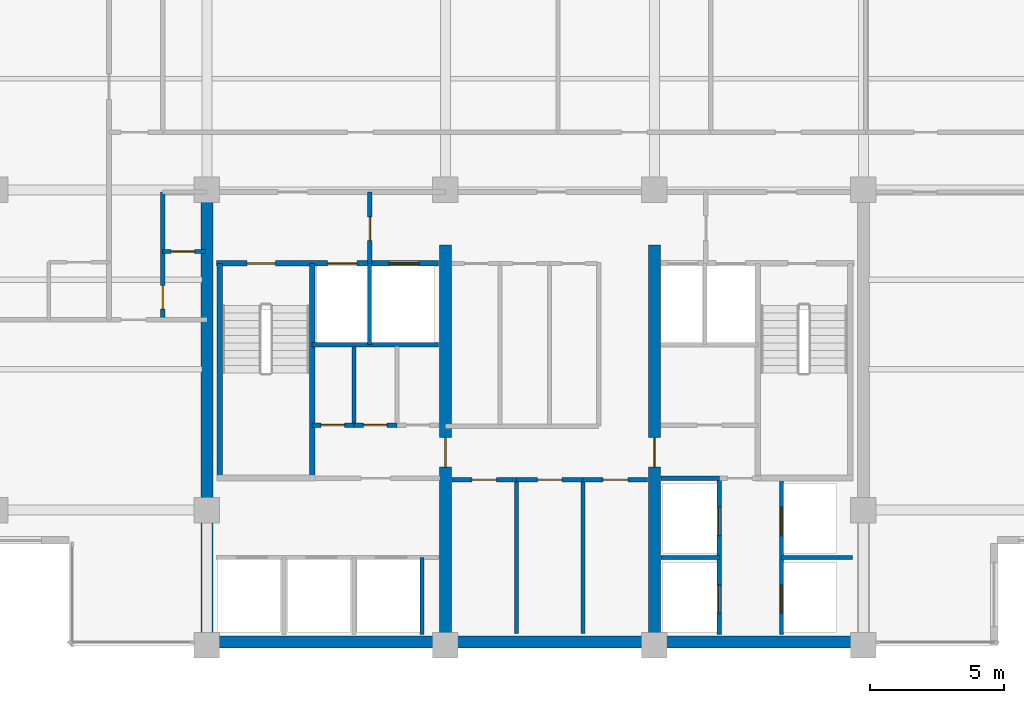
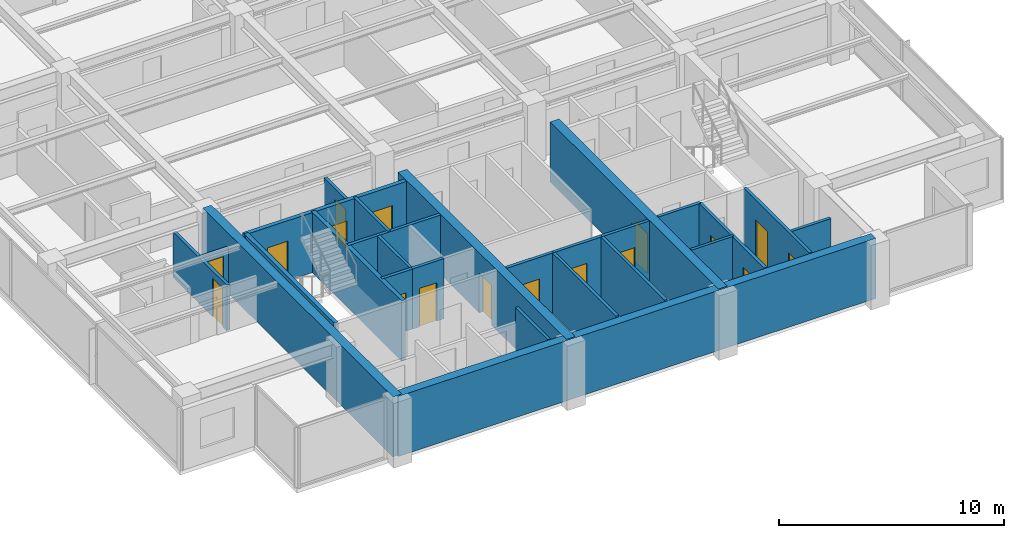
# One storey, part 7 of 14: 26 walls, 17 doors, 17 openings.
"""IFC4 building model written with IfcOpenShell, lengths in metres."""

import ifcopenshell
import ifcopenshell.guid

model = None  # the IFC model being written
_history = None  # IfcOwnerHistory: only IFC2X3 demands one
_inside = {}  # id of a spatial element -> (the spatial element, [elements in it])
_under = {}  # id of a project, library or spatial element -> (it, [spatial elements below it])
_declared = {}  # id of a project -> (the project, [libraries it declares])
_typed = {}  # id of a type object -> (the type object, [elements of that type])
_made_of = {}  # id of a material, layer set ... -> (it, [elements and type objects made of it])


def new_model(schema):
    """Start an empty IFC model of exactly this schema.

    Asked for "IFC4X3", IfcOpenShell would pick the latest addendum, in which some entities
    have other attributes; the version numbers below select the first issue.
    IFC2X3 requires an IfcOwnerHistory on every rooted entity: one is made here for all.
    """
    global model, _history
    if schema == "IFC4X3":
        model = ifcopenshell.file(schema_version=(4, 3, 0, 0))
    else:
        model = ifcopenshell.file(schema=schema)
    _inside.clear()
    _under.clear()
    _declared.clear()
    _typed.clear()
    _made_of.clear()
    _history = None
    if model.schema == "IFC2X3":
        org = make("IfcOrganization", Name="unknown")
        user = make(
            "IfcPersonAndOrganization",
            ThePerson=make("IfcPerson", FamilyName="unknown"),
            TheOrganization=org,
        )
        app = make(
            "IfcApplication",
            ApplicationDeveloper=org,
            Version="unknown",
            ApplicationFullName="unknown",
            ApplicationIdentifier="unknown",
        )
        _history = make(
            "IfcOwnerHistory",
            OwningUser=user,
            OwningApplication=app,
            ChangeAction="ADDED",
            CreationDate=0,
        )
    return model


def make(cls, **values):
    """One entity of the class cls with the attributes given. An attribute that is None is left unset."""
    return model.create_entity(
        cls, **{name: value for name, value in values.items() if value is not None}
    )


def rooted(cls, **values):
    """An entity with a GlobalId (a new one), such as an element, a storey or a relation."""
    return make(cls, GlobalId=ifcopenshell.guid.new(), OwnerHistory=_history, **values)


def si_unit(unit_type, name, prefix=None):
    """IfcSIUnit, for example si_unit("LENGTHUNIT", "METRE", prefix="MILLI")."""
    return make("IfcSIUnit", UnitType=unit_type, Prefix=prefix, Name=name)


def assignment(units):
    """IfcUnitAssignment: the units of a project."""
    return None if units is None else make("IfcUnitAssignment", Units=units)


def point(xyz):
    """IfcCartesianPoint."""
    return None if xyz is None else make("IfcCartesianPoint", Coordinates=xyz)


def direction(xyz):
    """IfcDirection."""
    return None if xyz is None else make("IfcDirection", DirectionRatios=xyz)


def frame(location, z_axis=None, x_axis=None):
    """IfcAxis2Placement3D, a coordinate frame: its origin and axes. An axis left out is left unset."""
    return make(
        "IfcAxis2Placement3D",
        Location=point(location),
        Axis=direction(z_axis),
        RefDirection=direction(x_axis),
    )


def frame_2d(location, x_axis=None):
    """IfcAxis2Placement2D, a coordinate frame in the plane: its origin and x axis."""
    return make(
        "IfcAxis2Placement2D", Location=point(location), RefDirection=direction(x_axis)
    )


def origin():
    """The frame at (0, 0, 0) with its axes left unset."""
    return frame((0.0, 0.0, 0.0))


def place(relative_to, where):
    """IfcLocalPlacement: puts the frame where relative to a parent placement (None: the world)."""
    return make(
        "IfcLocalPlacement", PlacementRelTo=relative_to, RelativePlacement=where
    )


def context(
    kind, dimensions, precision=None, world=None, true_north=None, identifier=None
):
    """IfcGeometricRepresentationContext, for example the 3D "Model" context."""
    return make(
        "IfcGeometricRepresentationContext",
        ContextIdentifier=identifier,
        ContextType=kind,
        CoordinateSpaceDimension=dimensions,
        Precision=precision,
        WorldCoordinateSystem=world,
        TrueNorth=true_north,
    )


def subcontext(parent, identifier, kind, view, scale=None):
    """IfcGeometricRepresentationSubContext, for example "Body" below "Model"."""
    return make(
        "IfcGeometricRepresentationSubContext",
        ContextIdentifier=identifier,
        ContextType=kind,
        ParentContext=parent,
        TargetScale=scale,
        TargetView=view,
    )


def project(units=None, contexts=None):
    """IfcProject with its units and contexts."""
    return rooted(
        "IfcProject",
        Name="project",
        RepresentationContexts=contexts,
        UnitsInContext=assignment(units),
    )


def spatial(cls, under=None, at=None, **own):
    """A site, building, storey or space (cls), placed at a placement, below another one or the project."""
    s = rooted(cls, ObjectPlacement=at, **own)
    if under is not None:
        _under.setdefault(under.id(), (under, []))[1].append(s)
    return s


def profile(cls, at=None, kind="AREA", **sizes):
    """A parametric profile (cls). Its sizes go by their IFC names, for example OverallWidth=200.0."""
    return make(cls, ProfileType=kind, Position=at, **sizes)


def rectangle(**sizes):
    """IfcRectangleProfileDef."""
    return profile("IfcRectangleProfileDef", **sizes)


def extrude(swept, where, along, depth):
    """IfcExtrudedAreaSolid: the profile swept, set in the frame where, extruded along a direction by depth."""
    return make(
        "IfcExtrudedAreaSolid",
        SweptArea=swept,
        Position=where,
        ExtrudedDirection=direction(along),
        Depth=depth,
    )


def shape(context_of_items, identifier, shape_type, items):
    """IfcShapeRepresentation: the items that make up one representation, for example the "Body"."""
    return make(
        "IfcShapeRepresentation",
        ContextOfItems=context_of_items,
        RepresentationIdentifier=identifier,
        RepresentationType=shape_type,
        Items=items,
    )


def material(Name=None, Category=None):
    """IfcMaterial."""
    return make("IfcMaterial", Name=Name, Category=Category)


def layer(
    of_material, thickness, ventilated=None, Name=None, Category=None, Priority=None
):
    """IfcMaterialLayer: one layer of a wall or slab, of a material (None: an air gap)."""
    return make(
        "IfcMaterialLayer",
        Material=of_material,
        LayerThickness=thickness,
        IsVentilated=ventilated,
        Name=Name,
        Category=Category,
        Priority=Priority,
    )


def layer_set(layers, Name=None):
    """IfcMaterialLayerSet."""
    return make("IfcMaterialLayerSet", MaterialLayers=layers, LayerSetName=Name)


def made_of(thing, what):
    """Note that an element or type object is made of a material, layer set ...; save() writes the relation."""
    if what is not None:
        _made_of.setdefault(what.id(), (what, []))[1].append(thing)
    return thing


def type_object(cls, material=None, **own):
    """A type object (cls), such as IfcWallType, which elements share."""
    return made_of(rooted(cls, **own), material)


def element(
    cls,
    number,
    at=None,
    inside=None,
    cuts=None,
    type_object=None,
    material=None,
    context=None,
    identifier="Body",
    shape_type=None,
    held_by="IfcProductDefinitionShape",
    body=None,
    shapes=None,
    **own,
):
    """One element of the class cls, such as IfcWall. Its Tag is "e" and its number.

    at: its placement. inside: the storey or other place that contains it. cuts: it is an
    opening in that element (IfcRelVoidsElement). A single representation is given by context,
    identifier, shape_type and body (its items); several are given by shapes. held_by: the class
    of the entity that holds the representations. save() writes the other relations.
    """
    e = rooted(cls, Tag="e%d" % number, ObjectPlacement=at, **own)
    if body is not None:
        shapes = [shape(context, identifier, shape_type, body)]
    if shapes is not None:
        e.Representation = make(held_by, Representations=shapes)
    if inside is not None:
        _inside.setdefault(inside.id(), (inside, []))[1].append(e)
    if cuts is not None:
        rooted(
            "IfcRelVoidsElement", RelatingBuildingElement=cuts, RelatedOpeningElement=e
        )
    if type_object is not None:
        _typed.setdefault(type_object.id(), (type_object, []))[1].append(e)
    return made_of(e, material)


def fill(opening, filler):
    """IfcRelFillsElement: the door or window that sits in an opening."""
    return rooted(
        "IfcRelFillsElement",
        RelatingOpeningElement=opening,
        RelatedBuildingElement=filler,
    )


def aggregate(whole, parts):
    """IfcRelAggregates: a whole, such as a stair, and the parts it consists of."""
    return rooted("IfcRelAggregates", RelatingObject=whole, RelatedObjects=parts)


def save(model, path):
    """Write the relations noted so far, then the file.

    IfcRelAggregates (storeys below a building ...), IfcRelContainedInSpatialStructure (elements
    in a storey), IfcRelDefinesByType, IfcRelAssociatesMaterial and IfcRelDeclares: one each for
    every whole, place, type object, material and project.
    """
    for whole, parts in _under.values():
        aggregate(whole, parts)
    for where, things in _inside.values():
        rooted(
            "IfcRelContainedInSpatialStructure",
            RelatedElements=things,
            RelatingStructure=where,
        )
    for kind, things in _typed.values():
        rooted("IfcRelDefinesByType", RelatedObjects=things, RelatingType=kind)
    for what, things in _made_of.values():
        rooted("IfcRelAssociatesMaterial", RelatedObjects=things, RelatingMaterial=what)
    for by, libraries in _declared.values():
        rooted("IfcRelDeclares", RelatingContext=by, RelatedDefinitions=libraries)
    model.write(path)


model = new_model("IFC4")

# Units and contexts
model_context = context("Model", 3, precision=1e-05, world=origin(), true_north=direction((0.0, 1.0)))
body_context = subcontext(model_context, "Body", "Model", "MODEL_VIEW")
ifc_project = project(units=[si_unit("LENGTHUNIT", "METRE"), si_unit("AREAUNIT", "SQUARE_METRE"), si_unit("VOLUMEUNIT", "CUBIC_METRE"), si_unit("PLANEANGLEUNIT", "RADIAN"), si_unit("MASSUNIT", "GRAM", prefix="KILO")], contexts=[model_context])

# Site, building, storey
site_placement = place(None, origin())
site = spatial("IfcSite", under=ifc_project, at=site_placement, CompositionType="ELEMENT")
building_placement = place(site_placement, origin())
building = spatial("IfcBuilding", under=site, at=building_placement, Name="Qalmaran Belvedere Hotel", CompositionType="ELEMENT")
storey_placement = place(building_placement, frame((0.0, 0.0, 224.89990234375)))
storey = spatial("IfcBuildingStorey", under=building, at=storey_placement, Name="L57", CompositionType="ELEMENT", Elevation=224.89990234375)

# Wall
ifc_material_1 = material(Name="Concrete C50/60", Category="concrete")
ifc_layer_1 = layer(ifc_material_1, 0.449951171875, Name="Concrete C50/60")
ifc_layer_set_1 = layer_set([ifc_layer_1], Name="Concrete C50/60")
wall_type_1 = type_object("IfcWallType", Name="WL-CORE-450-C50", PredefinedType="SHEAR", material=ifc_layer_set_1)
wall_1_placement = place(storey_placement, frame((20.300048828125, 3.5, 0.0), z_axis=(0.0, 0.0, 1.0), x_axis=(0.0, 1.0, 0.0)))
element("IfcWall", 1, at=wall_1_placement, inside=storey, type_object=wall_type_1, Name="L57 West Core Shear Wall", PredefinedType="SHEAR", context=body_context, shape_type="SweptSolid", body=[
    extrude(rectangle(XDim=16.89990234375, YDim=0.449951171875, at=frame_2d((8.449951171875, 0.0))), origin(), (0.0, 0.0, 1.0), 3.260009765625),
])

# Wall, opening, door
wall_2_placement = place(storey_placement, frame((29.199951171875, 3.5, 0.0), z_axis=(0.0, 0.0, 1.0), x_axis=(0.0, 1.0, 0.0)))
wall_2 = element("IfcWall", 2, at=wall_2_placement, inside=storey, type_object=wall_type_1, Name="L57 Core West Spine Shear Wall", PredefinedType="SHEAR", context=body_context, shape_type="SweptSolid", body=[
    extrude(rectangle(XDim=14.949951171875, YDim=0.449951171875, at=frame_2d((7.47509765625, 0.0))), origin(), (0.0, 0.0, 1.0), 3.260009765625),
])
opening_1_placement = place(wall_2_placement, frame((7.75, 0.0, 0.0), z_axis=(0.0, 0.0, 1.0), x_axis=(-1.0, 0.0, 0.0)))
opening_1 = element("IfcOpeningElement", 3, at=opening_1_placement, cuts=wall_2, Name="Opening FD90", PredefinedType="OPENING", context=body_context, shape_type="SweptSolid", body=[
    extrude(rectangle(XDim=1.10009765625, YDim=2.14990234375, at=frame_2d((0.550048828125, 1.074951171875))), frame((0.0, 0.23486328125, 0.0), z_axis=(0.0, -1.0, 0.0), x_axis=(1.0, 0.0, 0.0)), (0.0, 0.0, 1.0), 0.469970703125),
])
ifc_material_2 = material(Name="Steel S355JR", Category="steel")
door_type_1 = type_object("IfcDoorType", Name="DR-FD90-1100X2150", OperationType="NOTDEFINED", PredefinedType="DOOR", material=ifc_material_2)
door_1_placement = place(opening_1_placement, origin())
door_1 = element("IfcDoor", 4, at=door_1_placement, inside=storey, type_object=door_type_1, Name="L57 Core West Cross-Lobby Door", OperationType="SINGLE_SWING_LEFT", OverallHeight=2.14990234375, OverallWidth=1.10009765625, PredefinedType="DOOR", context=body_context, shape_type="SweptSolid", body=[
    extrude(rectangle(XDim=1.10009765625, YDim=2.14990234375, at=frame_2d((0.550048828125, 1.074951171875))), frame((0.0, 0.02490234375, 0.0), z_axis=(0.0, -1.0, 0.0), x_axis=(1.0, 0.0, 0.0)), (0.0, 0.0, 1.0), 0.050048828125),
])
fill(opening_1, door_1)

wall_3_placement = place(storey_placement, frame((37.0, 3.5, 0.0), z_axis=(0.0, 0.0, 1.0), x_axis=(0.0, 1.0, 0.0)))
wall_3 = element("IfcWall", 5, at=wall_3_placement, inside=storey, type_object=wall_type_1, Name="L57 Core East Spine Shear Wall", PredefinedType="SHEAR", context=body_context, shape_type="SweptSolid", body=[
    extrude(rectangle(XDim=14.949951171875, YDim=0.449951171875, at=frame_2d((7.47509765625, 0.0))), origin(), (0.0, 0.0, 1.0), 3.260009765625),
])
opening_2_placement = place(wall_3_placement, frame((6.64990234375, 0.0, 0.0)))
opening_2 = element("IfcOpeningElement", 6, at=opening_2_placement, cuts=wall_3, Name="Opening FD90", PredefinedType="OPENING", context=body_context, shape_type="SweptSolid", body=[
    extrude(rectangle(XDim=1.10009765625, YDim=2.14990234375, at=frame_2d((0.550048828125, 1.074951171875))), frame((0.0, 0.23486328125, 0.0), z_axis=(0.0, -1.0, 0.0), x_axis=(1.0, 0.0, 0.0)), (0.0, 0.0, 1.0), 0.469970703125),
])
door_2_placement = place(opening_2_placement, origin())
door_2 = element("IfcDoor", 7, at=door_2_placement, inside=storey, type_object=door_type_1, Name="L57 Core East Cross-Lobby Door", OperationType="SINGLE_SWING_RIGHT", OverallHeight=2.14990234375, OverallWidth=1.10009765625, PredefinedType="DOOR", context=body_context, shape_type="SweptSolid", body=[
    extrude(rectangle(XDim=1.10009765625, YDim=2.14990234375, at=frame_2d((0.550048828125, 1.074951171875))), frame((0.0, 0.02490234375, 0.0), z_axis=(0.0, -1.0, 0.0), x_axis=(1.0, 0.0, 0.0)), (0.0, 0.0, 1.0), 0.050048828125),
])
fill(opening_2, door_2)

# Wall
ifc_layer_2 = layer(ifc_material_1, 0.43994140625, Name="Concrete C50/60")
ifc_layer_set_2 = layer_set([ifc_layer_2], Name="Concrete C50/60")
wall_type_2 = type_object("IfcWallType", Name="WL-CORES-440-EXT", PredefinedType="SHEAR", material=ifc_layer_set_2)
wall_4_placement = place(storey_placement, frame((20.300048828125, 3.6298828125, 0.0), z_axis=(0.0, 0.0, 1.0), x_axis=(1.0, 0.0, 0.0)))
element("IfcWall", 8, at=wall_4_placement, inside=storey, type_object=wall_type_2, Name="L57 South Core Shear Wall", PredefinedType="SHEAR", context=body_context, shape_type="SweptSolid", body=[
    extrude(rectangle(XDim=24.5, YDim=0.43994140625, at=frame_2d((12.25, 0.0))), origin(), (0.0, 0.0, 1.0), 3.260009765625),
])

# Wall, opening, door
ifc_material_3 = material(Name="Gypsum Stud Partition")
ifc_layer_3 = layer(ifc_material_3, 0.139892578125, Name="Gypsum Stud Partition")
ifc_layer_set_3 = layer_set([ifc_layer_3], Name="Gypsum Stud Partition")
wall_type_3 = type_object("IfcWallType", Name="WL-INT-140-NR", PredefinedType="PARTITIONING", material=ifc_layer_set_3)
wall_5_placement = place(storey_placement, frame((18.64990234375, 18.199951171875, 0.0), z_axis=(0.0, 0.0, 1.0), x_axis=(1.0, 0.0, 0.0)))
wall_5 = element("IfcWall", 9, at=wall_5_placement, inside=storey, type_object=wall_type_3, Name="L57 Partition WL-L57-WCLSUB", PredefinedType="PARTITIONING", context=body_context, shape_type="SweptSolid", body=[
    extrude(rectangle(XDim=1.60009765625, YDim=0.139892578125, at=frame_2d((0.800048828125, 0.0))), origin(), (0.0, 0.0, 1.0), 2.47216796875),
])
opening_3_placement = place(wall_5_placement, frame((1.193115234375, 0.0, 0.0), z_axis=(0.0, 0.0, 1.0), x_axis=(-1.0, 0.0, 0.0)))
opening_3 = element("IfcOpeningElement", 10, at=opening_3_placement, cuts=wall_5, Name="Opening D-BATH", PredefinedType="OPENING", context=body_context, shape_type="SweptSolid", body=[
    extrude(rectangle(XDim=0.8798828125, YDim=2.080078125, at=frame_2d((0.43994140625, 1.0400390625))), frame((0.0, 0.080078125, 0.0), z_axis=(0.0, -1.0, 0.0), x_axis=(1.0, 0.0, 0.0)), (0.0, 0.0, 1.0), 0.159912109375),
])
ifc_material_4 = material(Name="Engineered Oak Veneer")
door_type_2 = type_object("IfcDoorType", Name="DR-INT-BATH-880X2080", OperationType="NOTDEFINED", PredefinedType="DOOR", material=ifc_material_4)
door_3_placement = place(opening_3_placement, origin())
door_3 = element("IfcDoor", 11, at=door_3_placement, inside=storey, type_object=door_type_2, Name="L57 Closet Alcove Door", OperationType="SINGLE_SWING_RIGHT", OverallHeight=2.080078125, OverallWidth=0.8798828125, PredefinedType="DOOR", context=body_context, shape_type="SweptSolid", body=[
    extrude(rectangle(XDim=0.8798828125, YDim=2.080078125, at=frame_2d((0.43994140625, 1.0400390625))), frame((0.0, 0.02490234375, 0.0), z_axis=(0.0, -1.0, 0.0), x_axis=(1.0, 0.0, 0.0)), (0.0, 0.0, 1.0), 0.050048828125),
])
fill(opening_3, door_3)

# Walls
ifc_layer_4 = layer(ifc_material_3, 0.14990234375, Name="Gypsum Stud Partition")
ifc_layer_set_4 = layer_set([ifc_layer_4], Name="Gypsum Stud Partition")
wall_type_4 = type_object("IfcWallType", Name="WL-INT-150-EI120", PredefinedType="PARTITIONING", material=ifc_layer_set_4)
wall_6_placement = place(storey_placement, frame((26.360107421875, 14.719970703125, 0.0), z_axis=(0.0, 0.0, 1.0), x_axis=(0.0, 1.0, 0.0)))
element("IfcWall", 12, at=wall_6_placement, inside=storey, type_object=wall_type_4, Name="L57 Partition WL-FF1M-L57", PredefinedType="PARTITIONING", context=body_context, shape_type="SweptSolid", body=[
    extrude(rectangle(XDim=3.0400390625, YDim=0.14990234375, at=frame_2d((1.52001953125, 0.0))), origin(), (0.0, 0.0, 1.0), 3.260009765625),
])
wall_7_placement = place(storey_placement, frame((28.320068359375, 3.89990234375, 0.0), z_axis=(0.0, 0.0, 1.0), x_axis=(0.0, 1.0, 0.0)))
element("IfcWall", 13, at=wall_7_placement, inside=storey, type_object=wall_type_4, Name="L57 Partition WL-POM3-L57", PredefinedType="PARTITIONING", context=body_context, shape_type="SweptSolid", body=[
    extrude(rectangle(XDim=2.880126953125, YDim=0.14990234375, at=frame_2d((1.43994140625, 0.0))), origin(), (0.0, 0.0, 1.0), 3.260009765625),
])
wall_8_placement = place(storey_placement, frame((37.25, 6.780029296875, 0.0), z_axis=(0.0, 0.0, 1.0), x_axis=(1.0, 0.0, 0.0)))
element("IfcWall", 14, at=wall_8_placement, inside=storey, type_object=wall_type_4, Name="L57 Partition WL-PHMW-L57", PredefinedType="PARTITIONING", context=body_context, shape_type="SweptSolid", body=[
    extrude(rectangle(XDim=2.169921875, YDim=0.14990234375, at=frame_2d((1.0849609375, 0.0))), origin(), (0.0, 0.0, 1.0), 3.260009765625),
])
wall_9_placement = place(storey_placement, frame((41.739990234375, 6.780029296875, 0.0), z_axis=(0.0, 0.0, 1.0), x_axis=(1.0, 0.0, 0.0)))
element("IfcWall", 15, at=wall_9_placement, inside=storey, type_object=wall_type_4, Name="L57 Partition WL-PHME-L57", PredefinedType="PARTITIONING", context=body_context, shape_type="SweptSolid", body=[
    extrude(rectangle(XDim=2.659912109375, YDim=0.14990234375, at=frame_2d((1.330078125, 0.0))), origin(), (0.0, 0.0, 1.0), 2.47216796875),
])
ifc_layer_5 = layer(ifc_material_3, 0.14990234375, Name="Gypsum Stud Partition")
ifc_layer_set_5 = layer_set([ifc_layer_5], Name="Gypsum Stud Partition")
wall_type_5 = type_object("IfcWallType", Name="WL-INT-150-EI60", PredefinedType="PARTITIONING", material=ifc_layer_set_5)
wall_10_placement = place(storey_placement, frame((25.781005859375, 11.719970703125, 0.0), z_axis=(0.0, 0.0, 1.0), x_axis=(0.0, 1.0, 0.0)))
element("IfcWall", 16, at=wall_10_placement, inside=storey, type_object=wall_type_5, Name="L57 Partition WL-L57-KWV1", PredefinedType="PARTITIONING", context=body_context, shape_type="SweptSolid", body=[
    extrude(rectangle(XDim=2.929931640625, YDim=0.14990234375, at=frame_2d((1.46484375, 0.0))), origin(), (0.0, 0.0, 1.0), 3.260009765625),
])
for number, where, z_axis, x_axis, name in (
    (17, (31.85888671875, 3.949951171875, 0.0), (0.0, 0.0, 1.0), (0.0, 1.0, 0.0), "L57 Partition WL-L57-KPLV1"),
    (18, (34.341064453125, 3.949951171875, 0.0), (0.0, 0.0, 1.0), (0.0, 1.0, 0.0), "L57 Partition WL-L57-KPLV2"),
):
    element("IfcWall", number, at=place(storey_placement, frame(where, z_axis=z_axis, x_axis=x_axis)), inside=storey, type_object=wall_type_5, Name=name, PredefinedType="PARTITIONING", context=body_context, shape_type="SweptSolid", body=[
        extrude(rectangle(XDim=5.72998046875, YDim=0.14990234375, at=frame_2d((2.864990234375, 0.0))), origin(), (0.0, 0.0, 1.0), 3.260009765625),
    ])

# Wall, opening, door
ifc_layer_6 = layer(ifc_material_3, 0.159912109375, Name="Gypsum Stud Partition")
ifc_layer_set_6 = layer_set([ifc_layer_6], Name="Gypsum Stud Partition")
wall_type_6 = type_object("IfcWallType", Name="WL-INT-160-EI120", PredefinedType="PARTITIONING", material=ifc_layer_set_6)
wall_11_placement = place(storey_placement, frame((26.3798828125, 17.760009765625, 0.0), z_axis=(0.0, 0.0, 1.0), x_axis=(0.0, 1.0, 0.0)))
wall_11 = element("IfcWall", 19, at=wall_11_placement, inside=storey, type_object=wall_type_6, Name="L57 Partition WL-FFSV1-L57", PredefinedType="PARTITIONING", context=body_context, shape_type="SweptSolid", body=[
    extrude(rectangle(XDim=2.659912109375, YDim=0.159912109375, at=frame_2d((1.330078125, 0.0))), origin(), (0.0, 0.0, 1.0), 2.7060546875),
])
opening_4_placement = place(wall_11_placement, frame((0.85009765625, 0.0, 0.0)))
opening_4 = element("IfcOpeningElement", 20, at=opening_4_placement, cuts=wall_11, Name="Opening FD60B", PredefinedType="OPENING", context=body_context, shape_type="SweptSolid", body=[
    extrude(rectangle(XDim=0.8798828125, YDim=2.080078125, at=frame_2d((0.43994140625, 1.0400390625))), frame((0.0, 0.08984375, 0.0), z_axis=(0.0, -1.0, 0.0), x_axis=(1.0, 0.0, 0.0)), (0.0, 0.0, 1.0), 0.179931640625),
])
door_type_3 = type_object("IfcDoorType", Name="DR-FD60B-880X2080", OperationType="NOTDEFINED", PredefinedType="DOOR", material=ifc_material_2)
door_4_placement = place(opening_4_placement, origin())
door_4 = element("IfcDoor", 21, at=door_4_placement, inside=storey, type_object=door_type_3, Name="L57 Service Lobby West Door", OperationType="SINGLE_SWING_LEFT", OverallHeight=2.080078125, OverallWidth=0.8798828125, PredefinedType="DOOR", context=body_context, shape_type="SweptSolid", body=[
    extrude(rectangle(XDim=0.8798828125, YDim=2.080078125, at=frame_2d((0.43994140625, 1.0400390625))), frame((0.0, 0.02490234375, 0.0), z_axis=(0.0, -1.0, 0.0), x_axis=(1.0, 0.0, 0.0)), (0.0, 0.0, 1.0), 0.050048828125),
])
fill(opening_4, door_4)

# Wall
wall_12_placement = place(storey_placement, frame((24.219970703125, 14.719970703125, 0.0), z_axis=(0.0, 0.0, 1.0), x_axis=(1.0, 0.0, 0.0)))
element("IfcWall", 22, at=wall_12_placement, inside=storey, type_object=wall_type_6, Name="L57 Partition WL-FF1S-L57", PredefinedType="PARTITIONING", context=body_context, shape_type="SweptSolid", body=[
    extrude(rectangle(XDim=4.72998046875, YDim=0.159912109375, at=frame_2d((2.364990234375, 0.0))), origin(), (0.0, 0.0, 1.0), 3.260009765625),
])

# Wall, openings, doors
wall_13_placement = place(storey_placement, frame((39.419921875, 3.89990234375, 0.0), z_axis=(0.0, 0.0, 1.0), x_axis=(0.0, 1.0, 0.0)))
wall_13 = element("IfcWall", 23, at=wall_13_placement, inside=storey, type_object=wall_type_6, Name="L57 Partition WL-PHW-L57", PredefinedType="PARTITIONING", context=body_context, shape_type="SweptSolid", body=[
    extrude(rectangle(XDim=5.840087890625, YDim=0.159912109375, at=frame_2d((2.919921875, 0.0))), origin(), (0.0, 0.0, 1.0), 3.260009765625),
])
opening_5_placement = place(wall_13_placement, frame((1.860107421875, 0.0, 0.0), z_axis=(0.0, 0.0, 1.0), x_axis=(-1.0, 0.0, 0.0)))
opening_5 = element("IfcOpeningElement", 24, at=opening_5_placement, cuts=wall_13, Name="Opening LD-P2", PredefinedType="OPENING", context=body_context, shape_type="SweptSolid", body=[
    extrude(rectangle(XDim=1.06005859375, YDim=2.159912109375, at=frame_2d((0.530029296875, 1.080078125))), frame((0.0, 0.08984375, 0.0), z_axis=(0.0, -1.0, 0.0), x_axis=(1.0, 0.0, 0.0)), (0.0, 0.0, 1.0), 0.179931640625),
])
opening_6_placement = place(wall_13_placement, frame((4.760009765625, 0.0, 0.0), z_axis=(0.0, 0.0, 1.0), x_axis=(-1.0, 0.0, 0.0)))
opening_6 = element("IfcOpeningElement", 25, at=opening_6_placement, cuts=wall_13, Name="Opening LD-P2", PredefinedType="OPENING", context=body_context, shape_type="SweptSolid", body=[
    extrude(rectangle(XDim=1.06005859375, YDim=2.159912109375, at=frame_2d((0.530029296875, 1.080078125))), frame((0.0, 0.08984375, 0.0), z_axis=(0.0, -1.0, 0.0), x_axis=(1.0, 0.0, 0.0)), (0.0, 0.0, 1.0), 0.179931640625),
])
ifc_material_5 = material(Name="Stainless Steel 1.4401", Category="steel")
door_type_4 = type_object("IfcDoorType", Name="DR-LIFT-P2-1060X2160", OperationType="DOUBLE_DOOR_SLIDING", PredefinedType="DOOR", material=ifc_material_5)
door_5_placement = place(opening_5_placement, origin())
door_5 = element("IfcDoor", 26, at=door_5_placement, inside=storey, type_object=door_type_4, Name="L57 PH1 Lift Landing Door", OperationType="DOUBLE_DOOR_SLIDING", OverallHeight=2.159912109375, OverallWidth=1.06005859375, PredefinedType="DOOR", context=body_context, shape_type="SweptSolid", body=[
    extrude(rectangle(XDim=1.06005859375, YDim=2.159912109375, at=frame_2d((0.530029296875, 1.080078125))), frame((0.0, 0.02490234375, 0.0), z_axis=(0.0, -1.0, 0.0), x_axis=(1.0, 0.0, 0.0)), (0.0, 0.0, 1.0), 0.050048828125),
])
fill(opening_5, door_5)
door_6_placement = place(opening_6_placement, origin())
door_6 = element("IfcDoor", 27, at=door_6_placement, inside=storey, type_object=door_type_4, Name="L57 PH2 Lift Landing Door", OperationType="DOUBLE_DOOR_SLIDING", OverallHeight=2.159912109375, OverallWidth=1.06005859375, PredefinedType="DOOR", context=body_context, shape_type="SweptSolid", body=[
    extrude(rectangle(XDim=1.06005859375, YDim=2.159912109375, at=frame_2d((0.530029296875, 1.080078125))), frame((0.0, 0.02490234375, 0.0), z_axis=(0.0, -1.0, 0.0), x_axis=(1.0, 0.0, 0.0)), (0.0, 0.0, 1.0), 0.050048828125),
])
fill(opening_6, door_6)

wall_14_placement = place(storey_placement, frame((41.739990234375, 3.89990234375, 0.0), z_axis=(0.0, 0.0, 1.0), x_axis=(0.0, 1.0, 0.0)))
wall_14 = element("IfcWall", 28, at=wall_14_placement, inside=storey, type_object=wall_type_6, Name="L57 Partition WL-PHE-L57", PredefinedType="PARTITIONING", context=body_context, shape_type="SweptSolid", body=[
    extrude(rectangle(XDim=5.840087890625, YDim=0.159912109375, at=frame_2d((2.919921875, 0.0))), origin(), (0.0, 0.0, 1.0), 3.260009765625),
])
opening_7_placement = place(wall_14_placement, frame((0.800048828125, 0.0, 0.0)))
opening_7 = element("IfcOpeningElement", 29, at=opening_7_placement, cuts=wall_14, Name="Opening LD-P2", PredefinedType="OPENING", context=body_context, shape_type="SweptSolid", body=[
    extrude(rectangle(XDim=1.06005859375, YDim=2.159912109375, at=frame_2d((0.530029296875, 1.080078125))), frame((0.0, 0.08984375, 0.0), z_axis=(0.0, -1.0, 0.0), x_axis=(1.0, 0.0, 0.0)), (0.0, 0.0, 1.0), 0.179931640625),
])
opening_8_placement = place(wall_14_placement, frame((3.699951171875, 0.0, 0.0)))
opening_8 = element("IfcOpeningElement", 30, at=opening_8_placement, cuts=wall_14, Name="Opening LD-P2", PredefinedType="OPENING", context=body_context, shape_type="SweptSolid", body=[
    extrude(rectangle(XDim=1.06005859375, YDim=2.159912109375, at=frame_2d((0.530029296875, 1.080078125))), frame((0.0, 0.08984375, 0.0), z_axis=(0.0, -1.0, 0.0), x_axis=(1.0, 0.0, 0.0)), (0.0, 0.0, 1.0), 0.179931640625),
])
door_7_placement = place(opening_7_placement, origin())
door_7 = element("IfcDoor", 31, at=door_7_placement, inside=storey, type_object=door_type_4, Name="L57 PH3 Lift Landing Door", OperationType="DOUBLE_DOOR_SLIDING", OverallHeight=2.159912109375, OverallWidth=1.06005859375, PredefinedType="DOOR", context=body_context, shape_type="SweptSolid", body=[
    extrude(rectangle(XDim=1.06005859375, YDim=2.159912109375, at=frame_2d((0.530029296875, 1.080078125))), frame((0.0, 0.02490234375, 0.0), z_axis=(0.0, -1.0, 0.0), x_axis=(1.0, 0.0, 0.0)), (0.0, 0.0, 1.0), 0.050048828125),
])
fill(opening_7, door_7)
door_8_placement = place(opening_8_placement, origin())
door_8 = element("IfcDoor", 32, at=door_8_placement, inside=storey, type_object=door_type_4, Name="L57 PH4 Lift Landing Door", OperationType="DOUBLE_DOOR_SLIDING", OverallHeight=2.159912109375, OverallWidth=1.06005859375, PredefinedType="DOOR", context=body_context, shape_type="SweptSolid", body=[
    extrude(rectangle(XDim=1.06005859375, YDim=2.159912109375, at=frame_2d((0.530029296875, 1.080078125))), frame((0.0, 0.02490234375, 0.0), z_axis=(0.0, -1.0, 0.0), x_axis=(1.0, 0.0, 0.0)), (0.0, 0.0, 1.0), 0.050048828125),
])
fill(opening_8, door_8)

# Wall
wall_15_placement = place(storey_placement, frame((37.25, 9.739990234375, 0.0), z_axis=(0.0, 0.0, 1.0), x_axis=(1.0, 0.0, 0.0)))
element("IfcWall", 33, at=wall_15_placement, inside=storey, type_object=wall_type_6, Name="L57 Partition WL-PHNW-L57", PredefinedType="PARTITIONING", context=body_context, shape_type="SweptSolid", body=[
    extrude(rectangle(XDim=2.169921875, YDim=0.159912109375, at=frame_2d((1.0849609375, 0.0))), origin(), (0.0, 0.0, 1.0), 3.260009765625),
])

# Wall, opening, door
ifc_layer_7 = layer(ifc_material_3, 0.159912109375, Name="Gypsum Stud Partition")
ifc_layer_set_7 = layer_set([ifc_layer_7], Name="Gypsum Stud Partition")
wall_type_7 = type_object("IfcWallType", Name="WL-INT-160-EI60", PredefinedType="PARTITIONING", material=ifc_layer_set_7)
wall_16_placement = place(storey_placement, frame((24.219970703125, 11.719970703125, 0.0), z_axis=(0.0, 0.0, 1.0), x_axis=(1.0, 0.0, 0.0)))
wall_16 = element("IfcWall", 34, at=wall_16_placement, inside=storey, type_object=wall_type_7, Name="L57 Partition WL-L57-KWE1", PredefinedType="PARTITIONING", context=body_context, shape_type="SweptSolid", body=[
    extrude(rectangle(XDim=1.56103515625, YDim=0.159912109375, at=frame_2d((0.780517578125, 0.0))), origin(), (0.0, 0.0, 1.0), 3.260009765625),
])
opening_9_placement = place(wall_16_placement, frame((0.340576171875, 0.0, 0.0)))
opening_9 = element("IfcOpeningElement", 35, at=opening_9_placement, cuts=wall_16, Name="Opening FD60B", PredefinedType="OPENING", context=body_context, shape_type="SweptSolid", body=[
    extrude(rectangle(XDim=0.8798828125, YDim=2.080078125, at=frame_2d((0.43994140625, 1.0400390625))), frame((0.0, 0.08984375, 0.0), z_axis=(0.0, -1.0, 0.0), x_axis=(1.0, 0.0, 0.0)), (0.0, 0.0, 1.0), 0.179931640625),
])
door_9_placement = place(opening_9_placement, origin())
door_9 = element("IfcDoor", 36, at=door_9_placement, inside=storey, type_object=door_type_3, Name="L57 Staff Core WC Door", OperationType="SINGLE_SWING_RIGHT", OverallHeight=2.080078125, OverallWidth=0.8798828125, PredefinedType="DOOR", context=body_context, shape_type="SweptSolid", body=[
    extrude(rectangle(XDim=0.8798828125, YDim=2.080078125, at=frame_2d((0.43994140625, 1.0400390625))), frame((0.0, 0.02490234375, 0.0), z_axis=(0.0, -1.0, 0.0), x_axis=(1.0, 0.0, 0.0)), (0.0, 0.0, 1.0), 0.050048828125),
])
fill(opening_9, door_9)

wall_17_placement = place(storey_placement, frame((25.781005859375, 11.719970703125, 0.0), z_axis=(0.0, 0.0, 1.0), x_axis=(1.0, 0.0, 0.0)))
wall_17 = element("IfcWall", 37, at=wall_17_placement, inside=storey, type_object=wall_type_7, Name="L57 Partition WL-L57-KWE2", PredefinedType="PARTITIONING", context=body_context, shape_type="SweptSolid", body=[
    extrude(rectangle(XDim=1.608154296875, YDim=0.159912109375, at=frame_2d((0.80419921875, 0.0))), origin(), (0.0, 0.0, 1.0), 3.260009765625),
])
opening_10_placement = place(wall_17_placement, frame((0.364013671875, 0.0, 0.0)))
opening_10 = element("IfcOpeningElement", 38, at=opening_10_placement, cuts=wall_17, Name="Opening FD60B", PredefinedType="OPENING", context=body_context, shape_type="SweptSolid", body=[
    extrude(rectangle(XDim=0.8798828125, YDim=2.080078125, at=frame_2d((0.43994140625, 1.0400390625))), frame((0.0, 0.08984375, 0.0), z_axis=(0.0, -1.0, 0.0), x_axis=(1.0, 0.0, 0.0)), (0.0, 0.0, 1.0), 0.179931640625),
])
door_10_placement = place(opening_10_placement, origin())
door_10 = element("IfcDoor", 39, at=door_10_placement, inside=storey, type_object=door_type_3, Name="L57 Electrical Distribution Room Door", OperationType="SINGLE_SWING_LEFT", OverallHeight=2.080078125, OverallWidth=0.8798828125, PredefinedType="DOOR", context=body_context, shape_type="SweptSolid", body=[
    extrude(rectangle(XDim=0.8798828125, YDim=2.080078125, at=frame_2d((0.43994140625, 1.0400390625))), frame((0.0, 0.02490234375, 0.0), z_axis=(0.0, -1.0, 0.0), x_axis=(1.0, 0.0, 0.0)), (0.0, 0.0, 1.0), 0.050048828125),
])
fill(opening_10, door_10)

wall_18_placement = place(storey_placement, frame((29.449951171875, 9.679931640625, 0.0), z_axis=(0.0, 0.0, 1.0), x_axis=(1.0, 0.0, 0.0)))
wall_18 = element("IfcWall", 40, at=wall_18_placement, inside=storey, type_object=wall_type_7, Name="L57 Partition WL-L57-KPLE1", PredefinedType="PARTITIONING", context=body_context, shape_type="SweptSolid", body=[
    extrude(rectangle(XDim=2.408935546875, YDim=0.159912109375, at=frame_2d((1.20458984375, 0.0))), origin(), (0.0, 0.0, 1.0), 3.260009765625),
])
opening_11_placement = place(wall_18_placement, frame((1.664306640625, 0.0, 0.0), z_axis=(0.0, 0.0, 1.0), x_axis=(-1.0, 0.0, 0.0)))
opening_11 = element("IfcOpeningElement", 41, at=opening_11_placement, cuts=wall_18, Name="Opening FD60S1", PredefinedType="OPENING", context=body_context, shape_type="SweptSolid", body=[
    extrude(rectangle(XDim=0.919921875, YDim=2.080078125, at=frame_2d((0.4599609375, 1.0400390625))), frame((0.0, 0.08984375, 0.0), z_axis=(0.0, -1.0, 0.0), x_axis=(1.0, 0.0, 0.0)), (0.0, 0.0, 1.0), 0.179931640625),
])
door_type_5 = type_object("IfcDoorType", Name="DR-FD60S-920X2080", OperationType="NOTDEFINED", PredefinedType="DOOR", material=ifc_material_4)
door_11_placement = place(opening_11_placement, origin())
door_11 = element("IfcDoor", 42, at=door_11_placement, inside=storey, type_object=door_type_5, Name="L57 Housekeeping and Linen Room Door", OperationType="SINGLE_SWING_RIGHT", OverallHeight=2.080078125, OverallWidth=0.919921875, PredefinedType="DOOR", context=body_context, shape_type="SweptSolid", body=[
    extrude(rectangle(XDim=0.919921875, YDim=2.080078125, at=frame_2d((0.4599609375, 1.0400390625))), frame((0.0, 0.02490234375, 0.0), z_axis=(0.0, -1.0, 0.0), x_axis=(1.0, 0.0, 0.0)), (0.0, 0.0, 1.0), 0.050048828125),
])
fill(opening_11, door_11)

wall_19_placement = place(storey_placement, frame((31.85888671875, 9.679931640625, 0.0), z_axis=(0.0, 0.0, 1.0), x_axis=(1.0, 0.0, 0.0)))
wall_19 = element("IfcWall", 43, at=wall_19_placement, inside=storey, type_object=wall_type_7, Name="L57 Partition WL-L57-KPLE2", PredefinedType="PARTITIONING", context=body_context, shape_type="SweptSolid", body=[
    extrude(rectangle(XDim=2.482177734375, YDim=0.159912109375, at=frame_2d((1.2412109375, 0.0))), origin(), (0.0, 0.0, 1.0), 3.260009765625),
])
opening_12_placement = place(wall_19_placement, frame((1.700927734375, 0.0, 0.0), z_axis=(0.0, 0.0, 1.0), x_axis=(-1.0, 0.0, 0.0)))
opening_12 = element("IfcOpeningElement", 44, at=opening_12_placement, cuts=wall_19, Name="Opening FD60S1", PredefinedType="OPENING", context=body_context, shape_type="SweptSolid", body=[
    extrude(rectangle(XDim=0.919921875, YDim=2.080078125, at=frame_2d((0.4599609375, 1.0400390625))), frame((0.0, 0.08984375, 0.0), z_axis=(0.0, -1.0, 0.0), x_axis=(1.0, 0.0, 0.0)), (0.0, 0.0, 1.0), 0.179931640625),
])
door_12_placement = place(opening_12_placement, origin())
door_12 = element("IfcDoor", 45, at=door_12_placement, inside=storey, type_object=door_type_5, Name="L57 Hotel Butler Service Pantry Door", OperationType="SINGLE_SWING_LEFT", OverallHeight=2.080078125, OverallWidth=0.919921875, PredefinedType="DOOR", context=body_context, shape_type="SweptSolid", body=[
    extrude(rectangle(XDim=0.919921875, YDim=2.080078125, at=frame_2d((0.4599609375, 1.0400390625))), frame((0.0, 0.02490234375, 0.0), z_axis=(0.0, -1.0, 0.0), x_axis=(1.0, 0.0, 0.0)), (0.0, 0.0, 1.0), 0.050048828125),
])
fill(opening_12, door_12)

wall_20_placement = place(storey_placement, frame((34.341064453125, 9.679931640625, 0.0), z_axis=(0.0, 0.0, 1.0), x_axis=(1.0, 0.0, 0.0)))
wall_20 = element("IfcWall", 46, at=wall_20_placement, inside=storey, type_object=wall_type_7, Name="L57 Partition WL-L57-KPLE3", PredefinedType="PARTITIONING", context=body_context, shape_type="SweptSolid", body=[
    extrude(rectangle(XDim=2.408935546875, YDim=0.159912109375, at=frame_2d((1.20458984375, 0.0))), origin(), (0.0, 0.0, 1.0), 3.260009765625),
])
opening_13_placement = place(wall_20_placement, frame((1.664306640625, 0.0, 0.0), z_axis=(0.0, 0.0, 1.0), x_axis=(-1.0, 0.0, 0.0)))
opening_13 = element("IfcOpeningElement", 47, at=opening_13_placement, cuts=wall_20, Name="Opening FD60S1", PredefinedType="OPENING", context=body_context, shape_type="SweptSolid", body=[
    extrude(rectangle(XDim=0.919921875, YDim=2.080078125, at=frame_2d((0.4599609375, 1.0400390625))), frame((0.0, 0.08984375, 0.0), z_axis=(0.0, -1.0, 0.0), x_axis=(1.0, 0.0, 0.0)), (0.0, 0.0, 1.0), 0.179931640625),
])
door_13_placement = place(opening_13_placement, origin())
door_13 = element("IfcDoor", 48, at=door_13_placement, inside=storey, type_object=door_type_5, Name="L57 Guest Valet Supply Store Door", OperationType="SINGLE_SWING_RIGHT", OverallHeight=2.080078125, OverallWidth=0.919921875, PredefinedType="DOOR", context=body_context, shape_type="SweptSolid", body=[
    extrude(rectangle(XDim=0.919921875, YDim=2.080078125, at=frame_2d((0.4599609375, 1.0400390625))), frame((0.0, 0.02490234375, 0.0), z_axis=(0.0, -1.0, 0.0), x_axis=(1.0, 0.0, 0.0)), (0.0, 0.0, 1.0), 0.050048828125),
])
fill(opening_13, door_13)

wall_21_placement = place(storey_placement, frame((18.64990234375, 15.64990234375, 0.0), z_axis=(0.0, 0.0, 1.0), x_axis=(0.0, 1.0, 0.0)))
wall_21 = element("IfcWall", 49, at=wall_21_placement, inside=storey, type_object=wall_type_7, Name="L57 Partition WL-L57-WCL", PredefinedType="PARTITIONING", context=body_context, shape_type="SweptSolid", body=[
    extrude(rectangle(XDim=4.77001953125, YDim=0.159912109375, at=frame_2d((2.385009765625, 0.0))), origin(), (0.0, 0.0, 1.0), 2.47216796875),
])
opening_14_placement = place(wall_21_placement, frame((1.27978515625, 0.0, 0.0), z_axis=(0.0, 0.0, 1.0), x_axis=(-1.0, 0.0, 0.0)))
opening_14 = element("IfcOpeningElement", 50, at=opening_14_placement, cuts=wall_21, Name="Opening FD60B", PredefinedType="OPENING", context=body_context, shape_type="SweptSolid", body=[
    extrude(rectangle(XDim=0.8798828125, YDim=2.080078125, at=frame_2d((0.43994140625, 1.0400390625))), frame((0.0, 0.08984375, 0.0), z_axis=(0.0, -1.0, 0.0), x_axis=(1.0, 0.0, 0.0)), (0.0, 0.0, 1.0), 0.179931640625),
])
door_14_placement = place(opening_14_placement, origin())
door_14 = element("IfcDoor", 51, at=door_14_placement, inside=storey, type_object=door_type_3, Name="L57 West Closet Door", OperationType="SINGLE_SWING_LEFT", OverallHeight=2.080078125, OverallWidth=0.8798828125, PredefinedType="DOOR", context=body_context, shape_type="SweptSolid", body=[
    extrude(rectangle(XDim=0.8798828125, YDim=2.080078125, at=frame_2d((0.43994140625, 1.0400390625))), frame((0.0, 0.02490234375, 0.0), z_axis=(0.0, -1.0, 0.0), x_axis=(1.0, 0.0, 0.0)), (0.0, 0.0, 1.0), 0.050048828125),
])
fill(opening_14, door_14)

# Walls
ifc_layer_8 = layer(ifc_material_1, 0.2099609375, Name="Concrete C50/60")
ifc_layer_set_8 = layer_set([ifc_layer_8], Name="Concrete C50/60")
wall_type_8 = type_object("IfcWallType", Name="WL-STAIR-210-C50", PredefinedType="SHEAR", material=ifc_layer_set_8)
for number, where, z_axis, x_axis, name in (
    (52, (20.77490234375, 9.7451171875, 0.0), (0.0, 0.0, 1.0), (0.0, 1.0, 0.0), "L57 Stair ST-1 West Bearing Wall"),
    (53, (24.22509765625, 9.7451171875, 0.0), (0.0, 0.0, 1.0), (0.0, 1.0, 0.0), "L57 Stair ST-1 East Bearing Wall"),
):
    element("IfcWall", number, at=place(storey_placement, frame(where, z_axis=z_axis, x_axis=x_axis)), inside=storey, type_object=wall_type_8, Name=name, PredefinedType="SHEAR", context=body_context, shape_type="SweptSolid", body=[
        extrude(rectangle(XDim=8.009765625, YDim=0.2099609375, at=frame_2d((4.0048828125, 0.0))), origin(), (0.0, 0.0, 1.0), 3.260009765625),
    ])

# Wall, openings, doors
wall_22_placement = place(storey_placement, frame((20.64990234375, 17.7548828125, 0.0), z_axis=(0.0, 0.0, 1.0), x_axis=(1.0, 0.0, 0.0)))
wall_22 = element("IfcWall", 54, at=wall_22_placement, inside=storey, type_object=wall_type_8, Name="L57 West Lobby and Stair ST-1 North Bearing Wall", PredefinedType="SHEAR", context=body_context, shape_type="SweptSolid", body=[
    extrude(rectangle(XDim=8.300048828125, YDim=0.2099609375, at=frame_2d((4.14990234375, 0.0))), origin(), (0.0, 0.0, 1.0), 3.260009765625),
])
opening_15_placement = place(wall_22_placement, frame((2.199951171875, 0.0, 0.0), z_axis=(0.0, 0.0, 1.0), x_axis=(-1.0, 0.0, 0.0)))
opening_15 = element("IfcOpeningElement", 55, at=opening_15_placement, cuts=wall_22, Name="Opening FD90S2", PredefinedType="OPENING", context=body_context, shape_type="SweptSolid", body=[
    extrude(rectangle(XDim=1.050048828125, YDim=2.14990234375, at=frame_2d((0.52490234375, 1.074951171875))), frame((0.0, 0.114990234375, 0.0), z_axis=(0.0, -1.0, 0.0), x_axis=(1.0, 0.0, 0.0)), (0.0, 0.0, 1.0), 0.22998046875),
])
opening_16_placement = place(wall_22_placement, frame((4.14990234375, 0.0, 0.0)))
opening_16 = element("IfcOpeningElement", 56, at=opening_16_placement, cuts=wall_22, Name="Opening LD-FF", PredefinedType="OPENING", context=body_context, shape_type="SweptSolid", body=[
    extrude(rectangle(XDim=1.10009765625, YDim=2.179931640625, at=frame_2d((0.550048828125, 1.08984375))), frame((0.0, 0.114990234375, 0.0), z_axis=(0.0, -1.0, 0.0), x_axis=(1.0, 0.0, 0.0)), (0.0, 0.0, 1.0), 0.22998046875),
])
opening_17_placement = place(wall_22_placement, frame((6.449951171875, 0.0, 0.0)))
opening_17 = element("IfcOpeningElement", 57, at=opening_17_placement, cuts=wall_22, Name="Opening LD-SV", PredefinedType="OPENING", context=body_context, shape_type="SweptSolid", body=[
    extrude(rectangle(XDim=1.1201171875, YDim=2.199951171875, at=frame_2d((0.56005859375, 1.10009765625))), frame((0.0, 0.114990234375, 0.0), z_axis=(0.0, -1.0, 0.0), x_axis=(1.0, 0.0, 0.0)), (0.0, 0.0, 1.0), 0.22998046875),
])
door_type_6 = type_object("IfcDoorType", Name="DR-FD90S-1050X2150", OperationType="NOTDEFINED", PredefinedType="DOOR", material=ifc_material_2)
door_15_placement = place(opening_15_placement, origin())
door_15 = element("IfcDoor", 58, at=door_15_placement, inside=storey, type_object=door_type_6, Name="L57 Stair ST-1 Door", OperationType="SINGLE_SWING_LEFT", OverallHeight=2.14990234375, OverallWidth=1.050048828125, PredefinedType="DOOR", context=body_context, shape_type="SweptSolid", body=[
    extrude(rectangle(XDim=1.050048828125, YDim=2.14990234375, at=frame_2d((0.52490234375, 1.074951171875))), frame((0.0, 0.02490234375, 0.0), z_axis=(0.0, -1.0, 0.0), x_axis=(1.0, 0.0, 0.0)), (0.0, 0.0, 1.0), 0.050048828125),
])
fill(opening_15, door_15)
door_type_7 = type_object("IfcDoorType", Name="DR-LIFT-FF-1100X2180", OperationType="DOUBLE_DOOR_SLIDING", PredefinedType="DOOR", material=ifc_material_5)
door_16_placement = place(opening_16_placement, origin())
door_16 = element("IfcDoor", 59, at=door_16_placement, inside=storey, type_object=door_type_7, Name="L57 FF1 Lift Landing Door", OperationType="DOUBLE_DOOR_SLIDING", OverallHeight=2.179931640625, OverallWidth=1.10009765625, PredefinedType="DOOR", context=body_context, shape_type="SweptSolid", body=[
    extrude(rectangle(XDim=1.10009765625, YDim=2.179931640625, at=frame_2d((0.550048828125, 1.08984375))), frame((0.0, 0.02490234375, 0.0), z_axis=(0.0, -1.0, 0.0), x_axis=(1.0, 0.0, 0.0)), (0.0, 0.0, 1.0), 0.050048828125),
])
fill(opening_16, door_16)
door_type_8 = type_object("IfcDoorType", Name="DR-LIFT-SV-1120X2200", OperationType="DOUBLE_DOOR_SLIDING", PredefinedType="DOOR", material=ifc_material_5)
door_17_placement = place(opening_17_placement, origin())
door_17 = element("IfcDoor", 60, at=door_17_placement, inside=storey, type_object=door_type_8, Name="L57 SV1 Lift Landing Door", OperationType="DOUBLE_DOOR_SLIDING", OverallHeight=2.199951171875, OverallWidth=1.1201171875, PredefinedType="DOOR", context=body_context, shape_type="SweptSolid", body=[
    extrude(rectangle(XDim=1.1201171875, YDim=2.199951171875, at=frame_2d((0.56005859375, 1.10009765625))), frame((0.0, 0.02490234375, 0.0), z_axis=(0.0, -1.0, 0.0), x_axis=(1.0, 0.0, 0.0)), (0.0, 0.0, 1.0), 0.050048828125),
])
fill(opening_17, door_17)

save(model, "model.ifc")
